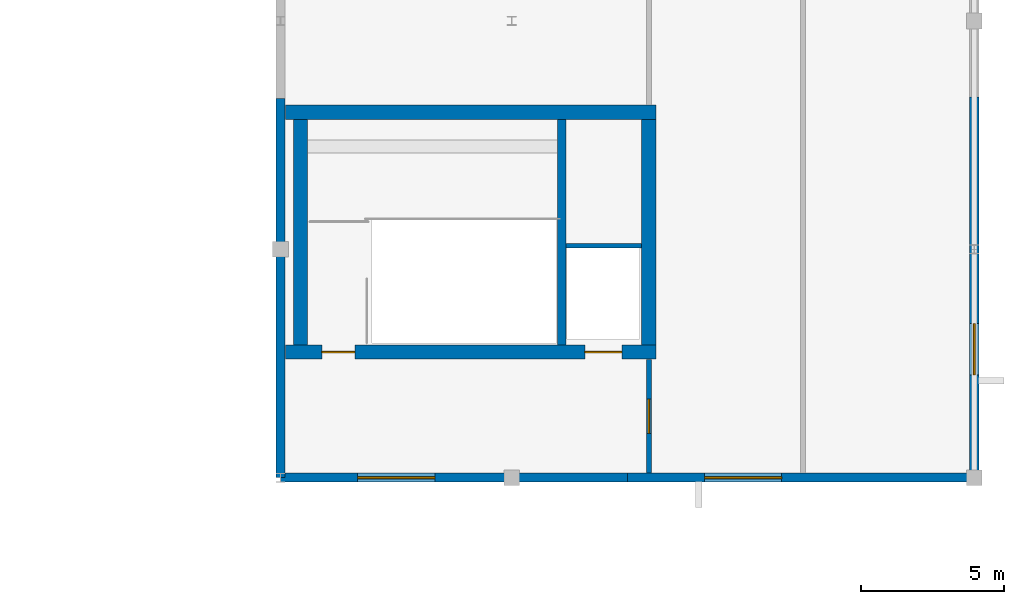
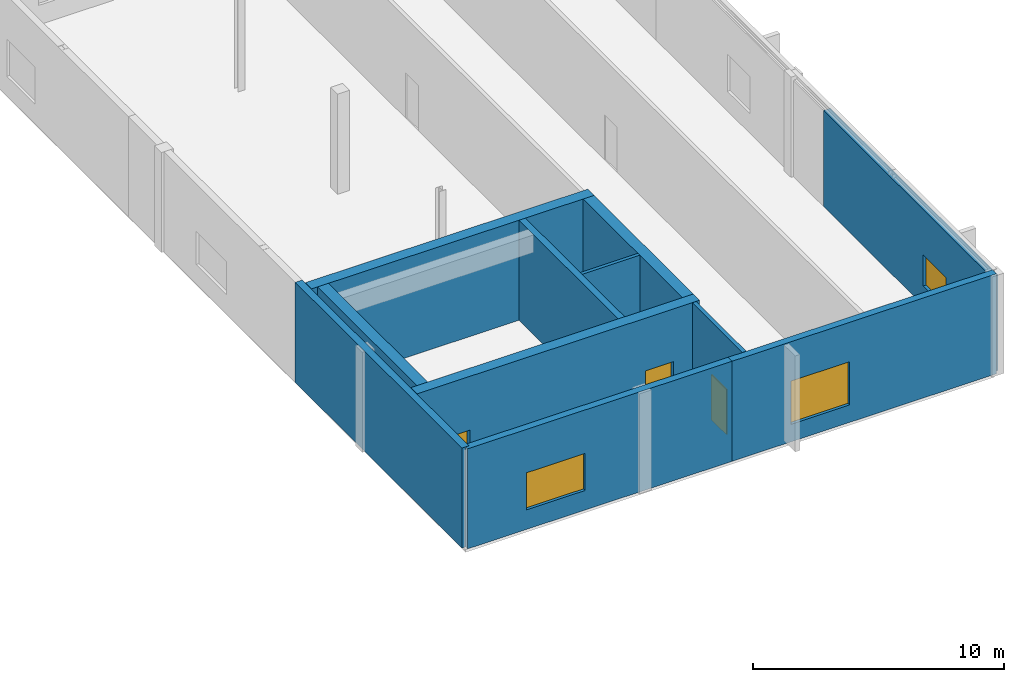
# One storey, part 61 of 70: 11 walls, 3 doors, 3 windows, 6 openings.
"""IFC4 building model written with IfcOpenShell, lengths in metres."""

from ifc_helpers import new_model, si_unit, direction, frame, frame_2d, origin, place, context, subcontext, project, spatial, rectangle, extrude, material, layer, layer_set, type_object, element, fill, save


model = new_model("IFC4")

# Units and contexts
model_context = context("Model", 3, precision=1e-05, world=origin(), true_north=direction((0.0, 1.0)))
body_context = subcontext(model_context, "Body", "Model", "MODEL_VIEW")
ifc_project = project(units=[si_unit("LENGTHUNIT", "METRE"), si_unit("AREAUNIT", "SQUARE_METRE"), si_unit("VOLUMEUNIT", "CUBIC_METRE"), si_unit("PLANEANGLEUNIT", "RADIAN"), si_unit("MASSUNIT", "GRAM", prefix="KILO")], contexts=[model_context])

# Site, building, storey
site_placement = place(None, origin())
site = spatial("IfcSite", under=ifc_project, at=site_placement, CompositionType="ELEMENT")
building_placement = place(site_placement, origin())
building = spatial("IfcBuilding", under=site, at=building_placement, Name="Tarnveldt Square Police Headquarters", CompositionType="ELEMENT")
storey_placement = place(building_placement, frame((0.0, 0.0, 19.800048828125)))
storey = spatial("IfcBuildingStorey", under=building, at=storey_placement, Name="L04", CompositionType="ELEMENT", Elevation=19.800048828125)

# Wall
ifc_material_1 = material(Name="Concrete 50 MPa", Category="concrete")
ifc_layer_1 = layer(ifc_material_1, 0.449951171875)
ifc_layer_set_1 = layer_set([ifc_layer_1], Name="Concrete 50 MPa")
wall_type_1 = type_object("IfcWallType", Name="WL-CORE-450", PredefinedType="SHEAR", material=ifc_layer_set_1)
wall_1_placement = place(storey_placement, frame((115.14990234375, 60.64990234375, 0.0), z_axis=(0.0, 0.0, 1.0), x_axis=(0.0, 1.0, 0.0)))
element("IfcWall", 1, at=wall_1_placement, inside=storey, type_object=wall_type_1, Name="Core K4 East Custody and Tactical Core L04 Stair-Lift Divider Shear Wall", PredefinedType="SHEAR", context=body_context, shape_type="SweptSolid", body=[
    extrude(rectangle(XDim=7.900146484375, YDim=0.300048828125, at=frame_2d((3.9501953125, 0.0))), origin(), (0.0, 0.0, 1.0), 4.85986328125),
])

# Wall, openings, doors
ifc_layer_2 = layer(ifc_material_1, 0.5)
ifc_layer_set_2 = layer_set([ifc_layer_2], Name="Concrete 50 MPa")
wall_type_2 = type_object("IfcWallType", Name="WL-CORE-500", PredefinedType="SHEAR", material=ifc_layer_set_2)
wall_2_placement = place(storey_placement, frame((105.47998046875, 60.39990234375, 0.0), z_axis=(0.0, 0.0, 1.0), x_axis=(1.0, 0.0, 0.0)))
wall_2 = element("IfcWall", 2, at=wall_2_placement, inside=storey, type_object=wall_type_2, Name="Core K4 East Custody and Tactical Core L04 South Shear Wall", PredefinedType="SHEAR", context=body_context, shape_type="SweptSolid", body=[
    extrude(rectangle(XDim=12.969970703125, YDim=0.5, at=frame_2d((6.48486328125, 0.0))), origin(), (0.0, 0.0, 1.0), 4.85986328125),
])
opening_1_placement = place(wall_2_placement, frame((1.27001953125, 0.0, 0.0)))
opening_1 = element("IfcOpeningElement", 3, at=opening_1_placement, cuts=wall_2, Name="Opening D-ST4-L04", PredefinedType="OPENING", context=body_context, shape_type="SweptSolid", body=[
    extrude(rectangle(XDim=1.14990234375, YDim=2.25, at=frame_2d((0.574951171875, 1.125))), frame((0.0, 0.260009765625, 0.0), z_axis=(0.0, -1.0, 0.0), x_axis=(1.0, 0.0, 0.0)), (0.0, 0.0, 1.0), 0.52001953125),
])
opening_2_placement = place(wall_2_placement, frame((10.47509765625, 0.0, 0.0)))
opening_2 = element("IfcOpeningElement", 4, at=opening_2_placement, cuts=wall_2, Name="Opening LD-LS1-L04", PredefinedType="OPENING", context=body_context, shape_type="SweptSolid", body=[
    extrude(rectangle(XDim=1.300048828125, YDim=2.300048828125, at=frame_2d((0.64990234375, 1.14990234375))), frame((0.0, 0.260009765625, 0.0), z_axis=(0.0, -1.0, 0.0), x_axis=(1.0, 0.0, 0.0)), (0.0, 0.0, 1.0), 0.52001953125),
])
ifc_material_2 = material(Name="Insulated hollow metal steel door leaf", Category="steel")
door_type_1 = type_object("IfcDoorType", Name="DR-FD90-1150", OperationType="NOTDEFINED", PredefinedType="DOOR", material=ifc_material_2)
door_1_placement = place(opening_1_placement, origin())
door_1 = element("IfcDoor", 5, at=door_1_placement, inside=storey, type_object=door_type_1, Name="Exit Stair ST4 L04 Fire Door", OperationType="SINGLE_SWING_RIGHT", OverallHeight=2.25, OverallWidth=1.14990234375, PredefinedType="DOOR", context=body_context, shape_type="SweptSolid", body=[
    extrude(rectangle(XDim=1.14990234375, YDim=2.25, at=frame_2d((0.574951171875, 1.125))), frame((0.0, 0.02490234375, 0.0), z_axis=(0.0, -1.0, 0.0), x_axis=(1.0, 0.0, 0.0)), (0.0, 0.0, 1.0), 0.050048828125),
])
fill(opening_1, door_1)
ifc_material_3 = material(Name="Steel 350W", Category="steel")
door_type_2 = type_object("IfcDoorType", Name="DR-LD-1300", OperationType="DOUBLE_DOOR_SLIDING", PredefinedType="DOOR", material=ifc_material_3)
door_2_placement = place(opening_2_placement, frame((1.300048828125, 0.0, 0.0), z_axis=(0.0, 0.0, 1.0), x_axis=(-1.0, 0.0, 0.0)))
door_2 = element("IfcDoor", 6, at=door_2_placement, inside=storey, type_object=door_type_2, Name="Elevator LS1 L04 Sliding Landing Door", OperationType="DOUBLE_DOOR_SLIDING", OverallHeight=2.300048828125, OverallWidth=1.300048828125, PredefinedType="DOOR", context=body_context, shape_type="SweptSolid", body=[
    extrude(rectangle(XDim=1.300048828125, YDim=2.300048828125, at=frame_2d((0.64990234375, 1.14990234375))), frame((0.0, 0.02490234375, 0.0), z_axis=(0.0, -1.0, 0.0), x_axis=(1.0, 0.0, 0.0)), (0.0, 0.0, 1.0), 0.050048828125),
])
fill(opening_2, door_2)

# Walls
wall_3_placement = place(storey_placement, frame((105.47998046875, 68.800048828125, 0.0), z_axis=(0.0, 0.0, 1.0), x_axis=(1.0, 0.0, 0.0)))
element("IfcWall", 7, at=wall_3_placement, inside=storey, type_object=wall_type_2, Name="Core K4 East Custody and Tactical Core L04 North Shear Wall", PredefinedType="SHEAR", context=body_context, shape_type="SweptSolid", body=[
    extrude(rectangle(XDim=12.969970703125, YDim=0.5, at=frame_2d((6.48486328125, 0.0))), origin(), (0.0, 0.0, 1.0), 4.85986328125),
])
for number, where, z_axis, x_axis, name in (
    (8, (106.0, 60.64990234375, 0.0), (0.0, 0.0, 1.0), (0.0, 1.0, 0.0), "Core K4 East Custody and Tactical Core L04 West Shear Wall"),
    (9, (118.199951171875, 60.64990234375, 0.0), (0.0, 0.0, 1.0), (0.0, 1.0, 0.0), "Core K4 East Custody and Tactical Core L04 East Shear Wall"),
):
    element("IfcWall", number, at=place(storey_placement, frame(where, z_axis=z_axis, x_axis=x_axis)), inside=storey, type_object=wall_type_2, Name=name, PredefinedType="SHEAR", context=body_context, shape_type="SweptSolid", body=[
        extrude(rectangle(XDim=7.900146484375, YDim=0.5, at=frame_2d((3.9501953125, 0.0))), origin(), (0.0, 0.0, 1.0), 4.85986328125),
    ])

# Wall, opening, window
ifc_material_4 = material(Name="Concrete 40 MPa", Category="concrete")
ifc_layer_3 = layer(ifc_material_4, 0.320068359375)
ifc_layer_set_3 = layer_set([ifc_layer_3], Name="Concrete 40 MPa")
wall_type_3 = type_object("IfcWallType", Name="WL-EXT-BH320", PredefinedType="SOLIDWALL", material=ifc_layer_set_3)
wall_4_placement = place(storey_placement, frame((129.60009765625, 56.0, 0.0), z_axis=(0.0, 0.0, 1.0), x_axis=(0.0, 1.0, 0.0)))
wall_4 = element("IfcWall", 10, at=wall_4_placement, inside=storey, type_object=wall_type_3, Name="L04 Brutalist Exterior Wall 0203", PredefinedType="SOLIDWALL", context=body_context, shape_type="SweptSolid", body=[
    extrude(rectangle(XDim=13.333251953125, YDim=0.320068359375, at=frame_2d((6.66650390625, 0.0))), origin(), (0.0, 0.0, 1.0), 4.660400390625),
])
opening_3_placement = place(wall_4_placement, frame((3.60009765625, 0.0, 0.949951171875)))
opening_3 = element("IfcOpeningElement", 11, at=opening_3_placement, cuts=wall_4, Name="Opening W08", PredefinedType="OPENING", context=body_context, shape_type="SweptSolid", body=[
    extrude(rectangle(XDim=1.800048828125, YDim=1.5, at=frame_2d((0.89990234375, 0.75))), frame((0.0, 0.169921875, 0.0), z_axis=(0.0, -1.0, 0.0), x_axis=(1.0, 0.0, 0.0)), (0.0, 0.0, 1.0), 0.340087890625),
])
ifc_material_5 = material(Name="Triple-glazed low-e laminated vision glass", Category="glass")
window_type_1 = type_object("IfcWindowType", Name="WIN-DR-180x150", PartitioningType="DOUBLE_PANEL_VERTICAL", PredefinedType="WINDOW", material=ifc_material_5)
window_1_placement = place(opening_3_placement, origin())
window_1 = element("IfcWindow", 12, at=window_1_placement, inside=storey, type_object=window_type_1, Name="L04 Deep-Reveal Brutalist Window 0104", OverallHeight=1.5, OverallWidth=1.800048828125, PartitioningType="DOUBLE_PANEL_VERTICAL", PredefinedType="WINDOW", context=body_context, shape_type="SweptSolid", body=[
    extrude(rectangle(XDim=1.800048828125, YDim=1.5, at=frame_2d((0.89990234375, 0.75))), frame((0.0, 0.030029296875, 0.0), z_axis=(0.0, -1.0, 0.0), x_axis=(1.0, 0.0, 0.0)), (0.0, 0.0, 1.0), 0.06005859375),
])
fill(opening_3, window_1)

# Wall
wall_5_placement = place(storey_placement, frame((105.300048828125, 69.2734375, 0.0), z_axis=(0.0, 0.0, 1.0), x_axis=(0.0, -1.0, 0.0)))
element("IfcWall", 13, at=wall_5_placement, inside=storey, type_object=wall_type_3, Name="L04 Brutalist Exterior Wall 0210", PredefinedType="SOLIDWALL", context=body_context, shape_type="SweptSolid", body=[
    extrude(rectangle(XDim=13.2734375, YDim=0.320068359375, at=frame_2d((6.63671875, 0.0))), origin(), (0.0, 0.0, 1.0), 4.85986328125),
])

# Wall, opening, window
wall_6_placement = place(storey_placement, frame((105.300048828125, 56.0, 0.0), z_axis=(0.0, 0.0, 1.0), x_axis=(1.0, 0.0, 0.0)))
wall_6 = element("IfcWall", 14, at=wall_6_placement, inside=storey, type_object=wall_type_3, Name="L04 Brutalist Exterior Wall 0211", PredefinedType="SOLIDWALL", context=body_context, shape_type="SweptSolid", body=[
    extrude(rectangle(XDim=12.14990234375, YDim=0.320068359375, at=frame_2d((6.074951171875, 0.0))), origin(), (0.0, 0.0, 1.0), 4.85986328125),
])
opening_4_placement = place(wall_6_placement, frame((2.699951171875, 0.0, 0.949951171875)))
opening_4 = element("IfcOpeningElement", 15, at=opening_4_placement, cuts=wall_6, Name="Opening W15", PredefinedType="OPENING", context=body_context, shape_type="SweptSolid", body=[
    extrude(rectangle(XDim=2.699951171875, YDim=1.800048828125, at=frame_2d((1.35009765625, 0.89990234375))), frame((0.0, 0.169921875, 0.0), z_axis=(0.0, -1.0, 0.0), x_axis=(1.0, 0.0, 0.0)), (0.0, 0.0, 1.0), 0.340087890625),
])
window_type_2 = type_object("IfcWindowType", Name="WIN-DR-270x180", PartitioningType="TRIPLE_PANEL_VERTICAL", PredefinedType="WINDOW", material=ifc_material_5)
window_2_placement = place(opening_4_placement, origin())
window_2 = element("IfcWindow", 16, at=window_2_placement, inside=storey, type_object=window_type_2, Name="L04 Deep-Reveal Brutalist Window 0111", OverallHeight=1.800048828125, OverallWidth=2.699951171875, PartitioningType="TRIPLE_PANEL_VERTICAL", PredefinedType="WINDOW", context=body_context, shape_type="SweptSolid", body=[
    extrude(rectangle(XDim=2.699951171875, YDim=1.800048828125, at=frame_2d((1.35009765625, 0.89990234375))), frame((0.0, 0.030029296875, 0.0), z_axis=(0.0, -1.0, 0.0), x_axis=(1.0, 0.0, 0.0)), (0.0, 0.0, 1.0), 0.06005859375),
])
fill(opening_4, window_2)

wall_7_placement = place(storey_placement, frame((117.449951171875, 56.0, 0.0), z_axis=(0.0, 0.0, 1.0), x_axis=(1.0, 0.0, 0.0)))
wall_7 = element("IfcWall", 17, at=wall_7_placement, inside=storey, type_object=wall_type_3, Name="L04 Brutalist Exterior Wall 0212", PredefinedType="SOLIDWALL", context=body_context, shape_type="SweptSolid", body=[
    extrude(rectangle(XDim=12.150146484375, YDim=0.320068359375, at=frame_2d((6.0751953125, 0.0))), origin(), (0.0, 0.0, 1.0), 4.85986328125),
])
opening_5_placement = place(wall_7_placement, frame((2.699951171875, 0.0, 0.85009765625)))
opening_5 = element("IfcOpeningElement", 18, at=opening_5_placement, cuts=wall_7, Name="Opening W16", PredefinedType="OPENING", context=body_context, shape_type="SweptSolid", body=[
    extrude(rectangle(XDim=2.699951171875, YDim=2.10009765625, at=frame_2d((1.35009765625, 1.050048828125))), frame((0.0, 0.169921875, 0.0), z_axis=(0.0, -1.0, 0.0), x_axis=(1.0, 0.0, 0.0)), (0.0, 0.0, 1.0), 0.340087890625),
])
window_type_3 = type_object("IfcWindowType", Name="WIN-DR-270x210", PartitioningType="TRIPLE_PANEL_VERTICAL", PredefinedType="WINDOW", material=ifc_material_5)
window_3_placement = place(opening_5_placement, origin())
window_3 = element("IfcWindow", 19, at=window_3_placement, inside=storey, type_object=window_type_3, Name="L04 Deep-Reveal Brutalist Window 0112", OverallHeight=2.10009765625, OverallWidth=2.699951171875, PartitioningType="TRIPLE_PANEL_VERTICAL", PredefinedType="WINDOW", context=body_context, shape_type="SweptSolid", body=[
    extrude(rectangle(XDim=2.699951171875, YDim=2.10009765625, at=frame_2d((1.35009765625, 1.050048828125))), frame((0.0, 0.030029296875, 0.0), z_axis=(0.0, -1.0, 0.0), x_axis=(1.0, 0.0, 0.0)), (0.0, 0.0, 1.0), 0.06005859375),
])
fill(opening_5, window_3)

# Wall, opening, door
ifc_material_6 = material(Name="Fire-rated Type X gypsum board on steel studs", Category="steel")
ifc_layer_4 = layer(ifc_material_6, 0.179931640625)
ifc_layer_set_4 = layer_set([ifc_layer_4], Name="Fire-rated Type X gypsum board on steel studs")
wall_type_4 = type_object("IfcWallType", Name="WL-FIRE-180", PredefinedType="PARTITIONING", material=ifc_layer_set_4)
wall_8_placement = place(storey_placement, frame((118.199951171875, 56.16796875, 0.0), z_axis=(0.0, 0.0, 1.0), x_axis=(0.0, 1.0, 0.0)))
wall_8 = element("IfcWall", 20, at=wall_8_placement, inside=storey, type_object=wall_type_4, Name="L04 Interior Partition Wall 0599", PredefinedType="PARTITIONING", context=body_context, shape_type="SweptSolid", body=[
    extrude(rectangle(XDim=3.97412109375, YDim=0.179931640625, at=frame_2d((1.987060546875, 0.0))), origin(), (0.0, 0.0, 1.0), 4.85986328125),
])
opening_6_placement = place(wall_8_placement, frame((1.386962890625, 0.0, 0.0)))
opening_6 = element("IfcOpeningElement", 21, at=opening_6_placement, cuts=wall_8, Name="Opening D16", PredefinedType="OPENING", context=body_context, shape_type="SweptSolid", body=[
    extrude(rectangle(XDim=1.199951171875, YDim=2.199951171875, at=frame_2d((0.60009765625, 1.10009765625))), frame((0.0, 0.099853515625, 0.0), z_axis=(0.0, -1.0, 0.0), x_axis=(1.0, 0.0, 0.0)), (0.0, 0.0, 1.0), 0.199951171875),
])
door_type_3 = type_object("IfcDoorType", Name="DR-FD60-1200", OperationType="NOTDEFINED", PredefinedType="DOOR", material=ifc_material_2)
door_3_placement = place(opening_6_placement, frame((1.199951171875, 0.0, 0.0), z_axis=(0.0, 0.0, 1.0), x_axis=(-1.0, 0.0, 0.0)))
door_3 = element("IfcDoor", 22, at=door_3_placement, inside=storey, type_object=door_type_3, Name="Core Lift Lobby K4-L04 Door", OperationType="SINGLE_SWING_RIGHT", OverallHeight=2.199951171875, OverallWidth=1.199951171875, PredefinedType="DOOR", context=body_context, shape_type="SweptSolid", body=[
    extrude(rectangle(XDim=1.199951171875, YDim=2.199951171875, at=frame_2d((0.60009765625, 1.10009765625))), frame((0.0, 0.02490234375, 0.0), z_axis=(0.0, -1.0, 0.0), x_axis=(1.0, 0.0, 0.0)), (0.0, 0.0, 1.0), 0.050048828125),
])
fill(opening_6, door_3)

# Wall
ifc_layer_5 = layer(ifc_material_6, 0.14990234375)
ifc_layer_set_5 = layer_set([ifc_layer_5], Name="Fire-rated Type X gypsum board on steel studs")
wall_type_5 = type_object("IfcWallType", Name="WL-SHAFT-150", PredefinedType="PARTITIONING", material=ifc_layer_set_5)
wall_9_placement = place(storey_placement, frame((115.300048828125, 64.1201171875, 0.0), z_axis=(0.0, 0.0, 1.0), x_axis=(1.0, 0.0, 0.0)))
element("IfcWall", 23, at=wall_9_placement, inside=storey, type_object=wall_type_5, Name="K4 L04 Elevator Shaft Back Wall", PredefinedType="PARTITIONING", context=body_context, shape_type="SweptSolid", body=[
    extrude(rectangle(XDim=2.64990234375, YDim=0.14990234375, at=frame_2d((1.324951171875, 0.0))), origin(), (0.0, 0.0, 1.0), 4.85986328125),
])

save(model, "model.ifc")
